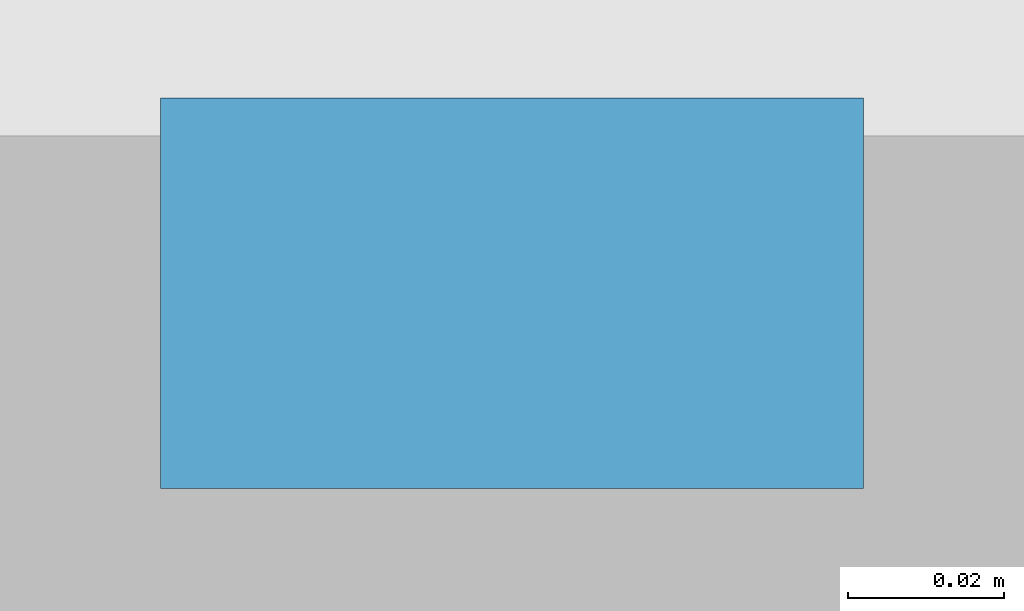
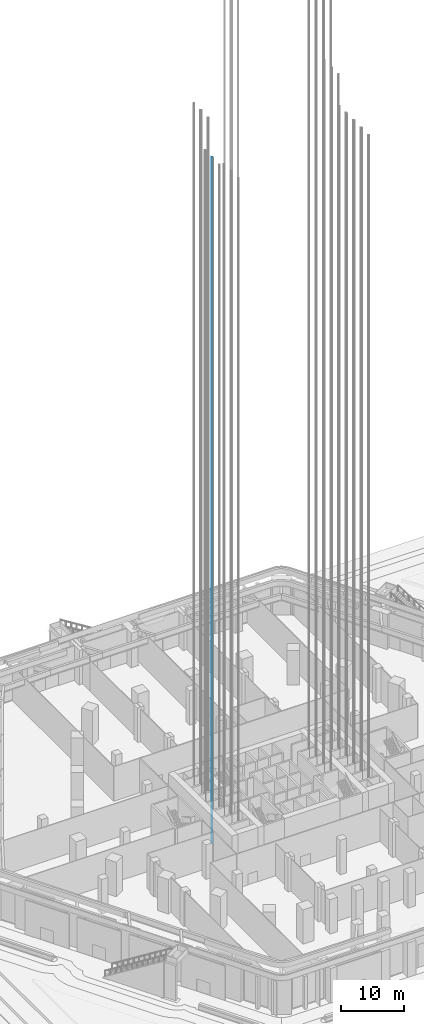
# One storey, part 33 of 68: 1 discrete accessory.
"""IFC4 building model written with IfcOpenShell, lengths in metres."""

from ifc_helpers import new_model, si_unit, direction, frame, origin, origin_2d, place, context, subcontext, project, spatial, rectangle, extrude, element, save


model = new_model("IFC4")

# Units and contexts
model_context = context("Model", 3, precision=1e-05, world=origin(), true_north=direction((0.0, 1.0)))
body_context = subcontext(model_context, "Body", "Model", "MODEL_VIEW")
ifc_project = project(units=[si_unit("LENGTHUNIT", "METRE"), si_unit("AREAUNIT", "SQUARE_METRE"), si_unit("VOLUMEUNIT", "CUBIC_METRE"), si_unit("PLANEANGLEUNIT", "RADIAN"), si_unit("MASSUNIT", "GRAM", prefix="KILO")], contexts=[model_context])

# Site, building, storey
site_placement = place(None, origin())
site = spatial("IfcSite", under=ifc_project, at=site_placement, CompositionType="ELEMENT")
building_placement = place(site_placement, origin())
building = spatial("IfcBuilding", under=site, at=building_placement, Name="Kolab Exchange Tower", CompositionType="ELEMENT")
storey_placement = place(building_placement, origin())
storey = spatial("IfcBuildingStorey", under=building, at=storey_placement, Name="L00", CompositionType="ELEMENT", Elevation=0.0)

# Discrete accessory
discrete_accessory_placement = place(storey_placement, frame((-12.699951171875, 0.1298828125, -1.599853515625), z_axis=(0.0, 0.0, 1.0), x_axis=(1.0, 0.0, 0.0)))
element("IfcDiscreteAccessory", 1, at=discrete_accessory_placement, inside=storey, Name="Guide rail LR8-1", ObjectType="GUIDE RAIL", PredefinedType="USERDEFINED", context=body_context, shape_type="SweptSolid", body=[
    extrude(rectangle(XDim=0.090087890625, YDim=0.050048828125, at=origin_2d()), origin(), (0.0, 0.0, 1.0), 133.39990234375),
])

save(model, "model.ifc")
